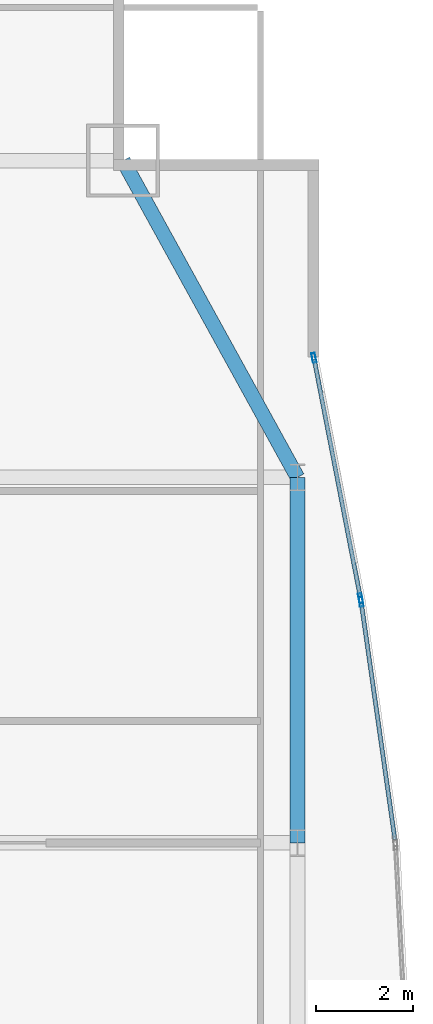
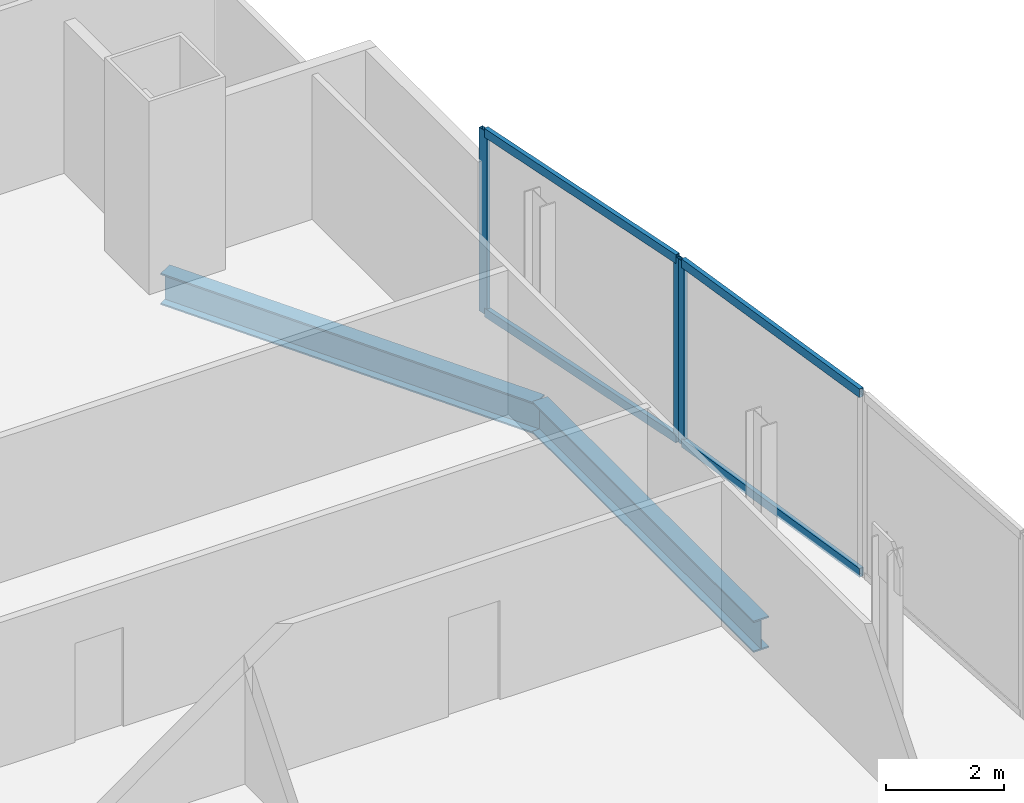
# One storey, part 23 of 34: 7 members, 2 beams, 2 elements without a shape of their own.
"""IFC4 building model written with IfcOpenShell, lengths in metres."""

from ifc_helpers import new_model, si_unit, direction, frame, origin, origin_2d, place, context, subcontext, project, spatial, hollow_rectangle, i_section, extrude, material, material_profile, profile_set, type_object, element, aggregate, save


model = new_model("IFC4")

# Units and contexts
model_context = context("Model", 3, precision=1e-05, world=origin(), true_north=direction((0.0, 1.0)))
body_context = subcontext(model_context, "Body", "Model", "MODEL_VIEW")
ifc_project = project(units=[si_unit("LENGTHUNIT", "METRE"), si_unit("AREAUNIT", "SQUARE_METRE"), si_unit("VOLUMEUNIT", "CUBIC_METRE"), si_unit("PLANEANGLEUNIT", "RADIAN"), si_unit("MASSUNIT", "GRAM", prefix="KILO")], contexts=[model_context])

# Site, building, storey
site_placement = place(None, origin())
site = spatial("IfcSite", under=ifc_project, at=site_placement, CompositionType="ELEMENT")
building_placement = place(site_placement, origin())
building = spatial("IfcBuilding", under=site, at=building_placement, Name="Khoronbel Lancet Exchange", CompositionType="ELEMENT")
storey_placement = place(building_placement, frame((0.0, 0.0, 102.60009765625)))
storey = spatial("IfcBuildingStorey", under=building, at=storey_placement, Name="L24", CompositionType="ELEMENT", Elevation=102.60009765625)

# Beams
ifc_material_1 = material(Name="Steel S355", Category="steel")
ifc_material_profile_1 = material_profile(ifc_material_1, i_section(OverallWidth=0.300048828125, OverallDepth=0.64990234375, WebThickness=0.01611328125, FlangeThickness=0.031005859375, at=origin_2d()), Name="HEB 650")
ifc_profile_set_1 = profile_set([ifc_material_profile_1], Name="Steel S355")
beam_type = type_object("IfcBeamType", Name="BM-BSP1", PredefinedType="SPANDREL", material=ifc_profile_set_1)
beam_1_placement = place(storey_placement, frame((69.6298828125, 35.699951171875, -0.505126953125), z_axis=(0.0, 1.0, 0.0), x_axis=(-1.0, 0.0, 0.0)))
element("IfcBeam", 1, at=beam_1_placement, inside=storey, type_object=beam_type, Name="Level L24 perimeter spandrel beam SP14", PredefinedType="SPANDREL", context=body_context, shape_type="SweptSolid", body=[
    extrude(i_section(OverallWidth=0.300048828125, OverallDepth=0.64990234375, WebThickness=0.01611328125, FlangeThickness=0.031005859375, at=origin_2d()), origin(), (0.0, 0.0, 1.0), 7.5),
])
beam_2_placement = place(storey_placement, frame((69.6298828125, 43.199951171875, -0.505126953125), z_axis=(-0.482418808117, 0.875940690672, 0.0), x_axis=(-0.875940690672, -0.482418808117, 0.0)))
element("IfcBeam", 2, at=beam_2_placement, inside=storey, type_object=beam_type, Name="Level L24 perimeter spandrel beam SP15", PredefinedType="SPANDREL", context=body_context, shape_type="SweptSolid", body=[
    extrude(i_section(OverallWidth=0.300048828125, OverallDepth=0.64990234375, WebThickness=0.01611328125, FlangeThickness=0.031005859375, at=origin_2d()), origin(), (0.0, 0.0, 1.0), 7.420654296875),
])

# Curtain wall, members
ifc_material_2 = material(Name="Low-E Solar Control Insulating Glass", Category="glass")
curtain_wall_type = type_object("IfcCurtainWallType", Name="CW-4", PredefinedType="NOTDEFINED", material=ifc_material_2)
curtain_wall_1_placement = place(storey_placement, origin())
curtain_wall_1 = element("IfcCurtainWall", 3, at=curtain_wall_1_placement, inside=storey, type_object=curtain_wall_type, Name="Unitised curtain wall CW-L24-E17", PredefinedType="NOTDEFINED")
ifc_material_3 = material(Name="Bronze-Anodised Aluminium 6063-T6", Category="aluminium")
ifc_material_profile_2 = material_profile(ifc_material_3, hollow_rectangle(XDim=0.074951171875, YDim=0.199951171875, WallThickness=0.0048828125, at=origin_2d()), Name="ALU MULLION 75x200")
ifc_profile_set_2 = profile_set([ifc_material_profile_2], Name="Bronze-Anodised Aluminium 6063-T6")
member_type_1 = type_object("IfcMemberType", Name="MEM-CWM2", PredefinedType="MULLION", material=ifc_profile_set_2)
member_1_placement = place(storey_placement, frame((69.967041015625, 45.654541015625, 0.0), z_axis=(0.0, 0.0, 1.0), x_axis=(0.981701526761, 0.190426133595, 0.0)))
member_1 = element("IfcMember", 4, at=member_1_placement, type_object=member_type_1, Name="CW4 mullion 1", PredefinedType="MULLION", context=body_context, shape_type="SweptSolid", body=[
    extrude(hollow_rectangle(XDim=0.074951171875, YDim=0.199951171875, WallThickness=0.0048828125, at=origin_2d()), origin(), (0.0, 0.0, 1.0), 3.7998046875),
])
member_2_placement = place(storey_placement, frame((70.924072265625, 40.721923828125, 0.0), z_axis=(0.0, 0.0, 1.0), x_axis=(0.981701526761, 0.190426133595, 0.0)))
member_2 = element("IfcMember", 5, at=member_2_placement, type_object=member_type_1, Name="CW4 mullion 2", PredefinedType="MULLION", context=body_context, shape_type="SweptSolid", body=[
    extrude(hollow_rectangle(XDim=0.074951171875, YDim=0.199951171875, WallThickness=0.0048828125, at=origin_2d()), origin(), (0.0, 0.0, 1.0), 3.7998046875),
])

# Curtain wall, member
curtain_wall_2_placement = place(storey_placement, origin())
curtain_wall_2 = element("IfcCurtainWall", 6, at=curtain_wall_2_placement, inside=storey, type_object=curtain_wall_type, Name="Unitised curtain wall CW-L24-E18", PredefinedType="NOTDEFINED")
member_3_placement = place(storey_placement, frame((70.936279296875, 40.64794921875, 0.0), z_axis=(0.0, 0.0, 1.0), x_axis=(0.990065733609, 0.1406052742, 0.0)))
member_3 = element("IfcMember", 7, at=member_3_placement, type_object=member_type_1, Name="CW4 mullion 1", PredefinedType="MULLION", context=body_context, shape_type="SweptSolid", body=[
    extrude(hollow_rectangle(XDim=0.074951171875, YDim=0.199951171875, WallThickness=0.0048828125, at=origin_2d()), origin(), (0.0, 0.0, 1.0), 3.7998046875),
])

# Member
ifc_material_profile_3 = material_profile(ifc_material_3, hollow_rectangle(XDim=0.0849609375, YDim=0.179931640625, WallThickness=0.0048828125, at=origin_2d()), Name="ALU TRANSOM 85x180")
ifc_profile_set_3 = profile_set([ifc_material_profile_3], Name="Bronze-Anodised Aluminium 6063-T6")
member_type_2 = type_object("IfcMemberType", Name="MEM-CWT1", PredefinedType="USERDEFINED", material=ifc_profile_set_3)
member_4_placement = place(storey_placement, frame((69.974365234375, 45.61767578125, 0.04248046875), z_axis=(0.190402259461, -0.981706157459, 0.0), x_axis=(0.981706157459, 0.190402259461, 0.0)))
member_4 = element("IfcMember", 8, at=member_4_placement, type_object=member_type_2, Name="CW4 transom 1.1", ObjectType="TRANSOM", PredefinedType="USERDEFINED", context=body_context, shape_type="SweptSolid", body=[
    extrude(hollow_rectangle(XDim=0.0849609375, YDim=0.179931640625, WallThickness=0.0048828125, at=origin_2d()), origin(), (0.0, 0.0, 1.0), 4.949462890625),
])

member_5_placement = place(storey_placement, frame((69.974365234375, 45.61767578125, 3.75732421875), z_axis=(0.190402259461, -0.981706157459, 0.0), x_axis=(0.981706157459, 0.190402259461, 0.0)))
member_5 = element("IfcMember", 9, at=member_5_placement, type_object=member_type_2, Name="CW4 transom 1.2", ObjectType="TRANSOM", PredefinedType="USERDEFINED", context=body_context, shape_type="SweptSolid", body=[
    extrude(hollow_rectangle(XDim=0.0849609375, YDim=0.179931640625, WallThickness=0.0048828125, at=origin_2d()), origin(), (0.0, 0.0, 1.0), 4.949462890625),
])

aggregate(curtain_wall_1, [member_1, member_2, member_4, member_5])

member_6_placement = place(storey_placement, frame((70.941650390625, 40.61083984375, 0.04248046875), z_axis=(0.140583194247, -0.990068869067, 0.0), x_axis=(0.990068869067, 0.140583194247, 0.0)))
member_6 = element("IfcMember", 10, at=member_6_placement, type_object=member_type_2, Name="CW4 transom 1.1", ObjectType="TRANSOM", PredefinedType="USERDEFINED", context=body_context, shape_type="SweptSolid", body=[
    extrude(hollow_rectangle(XDim=0.0849609375, YDim=0.179931640625, WallThickness=0.0048828125, at=origin_2d()), origin(), (0.0, 0.0, 1.0), 4.893798828125),
])

member_7_placement = place(storey_placement, frame((70.941650390625, 40.61083984375, 3.75732421875), z_axis=(0.140583194247, -0.990068869067, 0.0), x_axis=(0.990068869067, 0.140583194247, 0.0)))
member_7 = element("IfcMember", 11, at=member_7_placement, type_object=member_type_2, Name="CW4 transom 1.2", ObjectType="TRANSOM", PredefinedType="USERDEFINED", context=body_context, shape_type="SweptSolid", body=[
    extrude(hollow_rectangle(XDim=0.0849609375, YDim=0.179931640625, WallThickness=0.0048828125, at=origin_2d()), origin(), (0.0, 0.0, 1.0), 4.893798828125),
])

aggregate(curtain_wall_2, [member_3, member_6, member_7])

save(model, "model.ifc")
